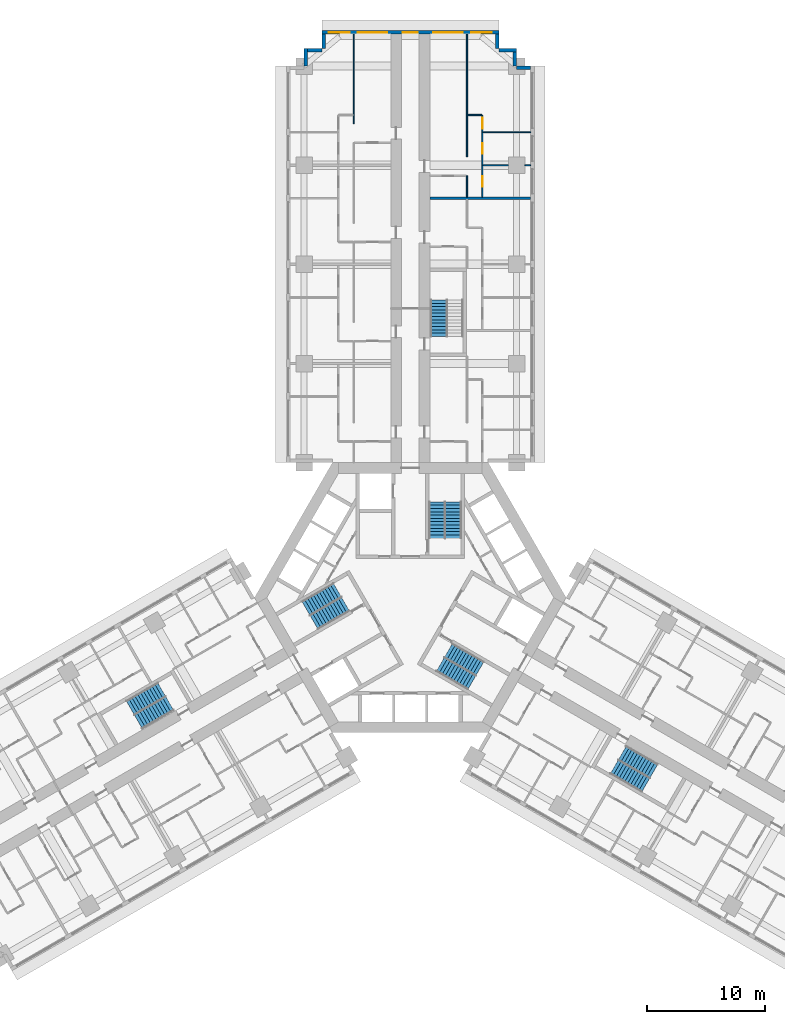
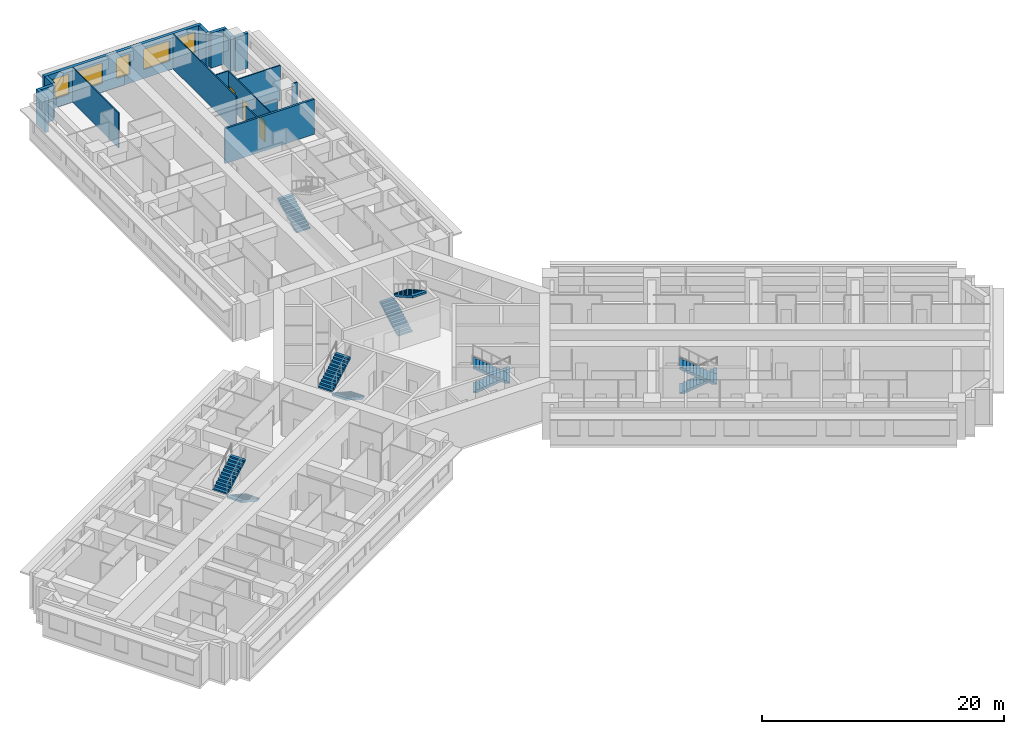
# One storey, part 14 of 16: 17 walls, 11 stair flights, 5 windows, 3 doors, 8 openings, 6 elements without a shape of their own.
"""IFC4 building model written with IfcOpenShell, lengths in metres."""

from ifc_helpers import new_model, si_unit, direction, frame, frame_2d, origin, place, context, subcontext, project, spatial, polyline, rectangle, outline, extrude, material, layer, layer_set, type_object, element, fill, aggregate, save


model = new_model("IFC4")

# Units and contexts
model_context = context("Model", 3, precision=1e-05, world=origin(), true_north=direction((0.0, 1.0)))
body_context = subcontext(model_context, "Body", "Model", "MODEL_VIEW")
ifc_project = project(units=[si_unit("LENGTHUNIT", "METRE"), si_unit("AREAUNIT", "SQUARE_METRE"), si_unit("VOLUMEUNIT", "CUBIC_METRE"), si_unit("PLANEANGLEUNIT", "RADIAN"), si_unit("MASSUNIT", "GRAM", prefix="KILO")], contexts=[model_context])

# Site, building, storey
site_placement = place(None, origin())
site = spatial("IfcSite", under=ifc_project, at=site_placement, CompositionType="ELEMENT")
building_placement = place(site_placement, origin())
building = spatial("IfcBuilding", under=site, at=building_placement, Name="Impinga Residences", CompositionType="ELEMENT")
storey_placement = place(building_placement, frame((0.0, 0.0, 71.0)))
storey = spatial("IfcBuildingStorey", under=building, at=storey_placement, Name="L17", CompositionType="ELEMENT", Elevation=71.0)

# Walls
ifc_material_1 = material(Name="Terracotta rainscreen on blockwork", Category="masonry")
ifc_layer_1 = layer(ifc_material_1, 0.300048828125)
ifc_layer_set_1 = layer_set([ifc_layer_1], Name="EW1 external wall, terracotta rainscreen on blockwork 300")
wall_type_1 = type_object("IfcWallType", Name="EW1 external wall, terracotta rainscreen on blockwork 300", PredefinedType="SOLIDWALL", material=ifc_layer_set_1)
wall_1_placement = place(storey_placement, frame((-8.85009765625, 45.03662109375, 0.0), z_axis=(0.0, 0.0, 1.0), x_axis=(0.0, 1.0, 0.0)))
element("IfcWall", 1, at=wall_1_placement, inside=storey, type_object=wall_type_1, Name="External wall EW1 L17", PredefinedType="SOLIDWALL", context=body_context, shape_type="SweptSolid", body=[
    extrude(rectangle(XDim=1.494873046875, YDim=0.300048828125, at=frame_2d((0.74755859375, 0.0))), origin(), (0.0, 0.0, 1.0), 3.530029296875),
])
wall_2_placement = place(storey_placement, frame((-8.699951171875, 46.381591796875, 0.0), z_axis=(0.0, 0.0, 1.0), x_axis=(1.0, 0.0, 0.0)))
element("IfcWall", 2, at=wall_2_placement, inside=storey, type_object=wall_type_1, Name="External wall EW1 L17", PredefinedType="SOLIDWALL", context=body_context, shape_type="SweptSolid", body=[
    extrude(rectangle(XDim=1.199951171875, YDim=0.300048828125, at=frame_2d((0.60009765625, 0.0))), origin(), (0.0, 0.0, 1.0), 3.530029296875),
])
wall_3_placement = place(storey_placement, frame((-7.35009765625, 46.53662109375, 0.0), z_axis=(0.0, 0.0, 1.0), x_axis=(0.0, 1.0, 0.0)))
element("IfcWall", 3, at=wall_3_placement, inside=storey, type_object=wall_type_1, Name="External wall EW1 L17", PredefinedType="SOLIDWALL", context=body_context, shape_type="SweptSolid", body=[
    extrude(rectangle(XDim=1.19482421875, YDim=0.300048828125, at=frame_2d((0.597412109375, 0.0))), origin(), (0.0, 0.0, 1.0), 3.530029296875),
])

# Wall, openings, windows
wall_4_placement = place(storey_placement, frame((-7.5, 47.881591796875, 0.0), z_axis=(0.0, 0.0, 1.0), x_axis=(1.0, 0.0, 0.0)))
wall_4 = element("IfcWall", 4, at=wall_4_placement, inside=storey, type_object=wall_type_1, Name="External wall EW1 L17", PredefinedType="SOLIDWALL", context=body_context, shape_type="SweptSolid", body=[
    extrude(rectangle(XDim=15.0, YDim=0.300048828125, at=frame_2d((7.5, 0.0))), origin(), (0.0, 0.0, 1.0), 3.530029296875),
])
opening_1_placement = place(wall_4_placement, frame((0.60009765625, 0.0, 0.89990234375)))
opening_1 = element("IfcOpeningElement", 5, at=opening_1_placement, cuts=wall_4, Name="Opening W1", PredefinedType="OPENING", context=body_context, shape_type="SweptSolid", body=[
    extrude(rectangle(XDim=1.75, YDim=2.050048828125, at=frame_2d((0.875, 1.02490234375))), frame((0.0, 0.159912109375, 0.0), z_axis=(0.0, -1.0, 0.0), x_axis=(1.0, 0.0, 0.0)), (0.0, 0.0, 1.0), 0.320068359375),
])
opening_2_placement = place(wall_4_placement, frame((3.050048828125, 0.0, 0.89990234375)))
opening_2 = element("IfcOpeningElement", 6, at=opening_2_placement, cuts=wall_4, Name="Opening W2", PredefinedType="OPENING", context=body_context, shape_type="SweptSolid", body=[
    extrude(rectangle(XDim=2.5, YDim=2.050048828125, at=frame_2d((1.25, 1.02490234375))), frame((0.0, 0.159912109375, 0.0), z_axis=(0.0, -1.0, 0.0), x_axis=(1.0, 0.0, 0.0)), (0.0, 0.0, 1.0), 0.320068359375),
])
opening_3_placement = place(wall_4_placement, frame((6.85009765625, 0.0, 0.89990234375)))
opening_3 = element("IfcOpeningElement", 7, at=opening_3_placement, cuts=wall_4, Name="Opening WE1", PredefinedType="OPENING", context=body_context, shape_type="SweptSolid", body=[
    extrude(rectangle(XDim=1.300048828125, YDim=2.050048828125, at=frame_2d((0.64990234375, 1.02490234375))), frame((0.0, 0.159912109375, 0.0), z_axis=(0.0, -1.0, 0.0), x_axis=(1.0, 0.0, 0.0)), (0.0, 0.0, 1.0), 0.320068359375),
])
opening_4_placement = place(wall_4_placement, frame((9.449951171875, 0.0, 0.89990234375)))
opening_4 = element("IfcOpeningElement", 8, at=opening_4_placement, cuts=wall_4, Name="Opening W2", PredefinedType="OPENING", context=body_context, shape_type="SweptSolid", body=[
    extrude(rectangle(XDim=2.5, YDim=2.050048828125, at=frame_2d((1.25, 1.02490234375))), frame((0.0, 0.159912109375, 0.0), z_axis=(0.0, -1.0, 0.0), x_axis=(1.0, 0.0, 0.0)), (0.0, 0.0, 1.0), 0.320068359375),
])
opening_5_placement = place(wall_4_placement, frame((12.64990234375, 0.0, 0.89990234375)))
opening_5 = element("IfcOpeningElement", 9, at=opening_5_placement, cuts=wall_4, Name="Opening W1", PredefinedType="OPENING", context=body_context, shape_type="SweptSolid", body=[
    extrude(rectangle(XDim=1.75, YDim=2.050048828125, at=frame_2d((0.875, 1.02490234375))), frame((0.0, 0.159912109375, 0.0), z_axis=(0.0, -1.0, 0.0), x_axis=(1.0, 0.0, 0.0)), (0.0, 0.0, 1.0), 0.320068359375),
])
ifc_material_2 = material(Name="Aluminium window, clear double glazing", Category="aluminium")
window_type_1 = type_object("IfcWindowType", Name="W1 ribbon window 1750x2050", PartitioningType="SINGLE_PANEL", PredefinedType="WINDOW", material=ifc_material_2)
window_1_placement = place(opening_1_placement, origin())
window_1 = element("IfcWindow", 10, at=window_1_placement, inside=storey, type_object=window_type_1, Name="Window L17", OverallHeight=2.050048828125, OverallWidth=1.75, PartitioningType="SINGLE_PANEL", PredefinedType="WINDOW", context=body_context, shape_type="SweptSolid", body=[
    extrude(rectangle(XDim=1.75, YDim=2.050048828125, at=frame_2d((0.875, 1.02490234375))), frame((0.0, 0.030029296875, 0.0), z_axis=(0.0, -1.0, 0.0), x_axis=(1.0, 0.0, 0.0)), (0.0, 0.0, 1.0), 0.06005859375),
])
fill(opening_1, window_1)
window_2_placement = place(opening_5_placement, origin())
window_2 = element("IfcWindow", 11, at=window_2_placement, inside=storey, type_object=window_type_1, Name="Window L17", OverallHeight=2.050048828125, OverallWidth=1.75, PartitioningType="SINGLE_PANEL", PredefinedType="WINDOW", context=body_context, shape_type="SweptSolid", body=[
    extrude(rectangle(XDim=1.75, YDim=2.050048828125, at=frame_2d((0.875, 1.02490234375))), frame((0.0, 0.030029296875, 0.0), z_axis=(0.0, -1.0, 0.0), x_axis=(1.0, 0.0, 0.0)), (0.0, 0.0, 1.0), 0.06005859375),
])
fill(opening_5, window_2)
window_type_2 = type_object("IfcWindowType", Name="W2 ribbon window 2500x2050", PartitioningType="SINGLE_PANEL", PredefinedType="WINDOW", material=ifc_material_2)
window_3_placement = place(opening_2_placement, origin())
window_3 = element("IfcWindow", 12, at=window_3_placement, inside=storey, type_object=window_type_2, Name="Window L17", OverallHeight=2.050048828125, OverallWidth=2.5, PartitioningType="SINGLE_PANEL", PredefinedType="WINDOW", context=body_context, shape_type="SweptSolid", body=[
    extrude(rectangle(XDim=2.5, YDim=2.050048828125, at=frame_2d((1.25, 1.02490234375))), frame((0.0, 0.030029296875, 0.0), z_axis=(0.0, -1.0, 0.0), x_axis=(1.0, 0.0, 0.0)), (0.0, 0.0, 1.0), 0.06005859375),
])
fill(opening_2, window_3)
window_4_placement = place(opening_4_placement, origin())
window_4 = element("IfcWindow", 13, at=window_4_placement, inside=storey, type_object=window_type_2, Name="Window L17", OverallHeight=2.050048828125, OverallWidth=2.5, PartitioningType="SINGLE_PANEL", PredefinedType="WINDOW", context=body_context, shape_type="SweptSolid", body=[
    extrude(rectangle(XDim=2.5, YDim=2.050048828125, at=frame_2d((1.25, 1.02490234375))), frame((0.0, 0.030029296875, 0.0), z_axis=(0.0, -1.0, 0.0), x_axis=(1.0, 0.0, 0.0)), (0.0, 0.0, 1.0), 0.06005859375),
])
fill(opening_4, window_4)
window_type_3 = type_object("IfcWindowType", Name="WE1 corridor window 1300x2050", PartitioningType="SINGLE_PANEL", PredefinedType="WINDOW", material=ifc_material_2)
window_5_placement = place(opening_3_placement, origin())
window_5 = element("IfcWindow", 14, at=window_5_placement, inside=storey, type_object=window_type_3, Name="Window L17", OverallHeight=2.050048828125, OverallWidth=1.300048828125, PartitioningType="SINGLE_PANEL", PredefinedType="WINDOW", context=body_context, shape_type="SweptSolid", body=[
    extrude(rectangle(XDim=1.300048828125, YDim=2.050048828125, at=frame_2d((0.64990234375, 1.02490234375))), frame((0.0, 0.030029296875, 0.0), z_axis=(0.0, -1.0, 0.0), x_axis=(1.0, 0.0, 0.0)), (0.0, 0.0, 1.0), 0.06005859375),
])
fill(opening_3, window_5)

# Walls
wall_5_placement = place(storey_placement, frame((7.35009765625, 47.7314453125, 0.0), z_axis=(0.0, 0.0, 1.0), x_axis=(0.0, -1.0, 0.0)))
element("IfcWall", 15, at=wall_5_placement, inside=storey, type_object=wall_type_1, Name="External wall EW1 L17", PredefinedType="SOLIDWALL", context=body_context, shape_type="SweptSolid", body=[
    extrude(rectangle(XDim=1.19482421875, YDim=0.300048828125, at=frame_2d((0.597412109375, 0.0))), origin(), (0.0, 0.0, 1.0), 3.530029296875),
])
wall_6_placement = place(storey_placement, frame((7.5, 46.381591796875, 0.0), z_axis=(0.0, 0.0, 1.0), x_axis=(1.0, 0.0, 0.0)))
element("IfcWall", 16, at=wall_6_placement, inside=storey, type_object=wall_type_1, Name="External wall EW1 L17", PredefinedType="SOLIDWALL", context=body_context, shape_type="SweptSolid", body=[
    extrude(rectangle(XDim=1.5, YDim=0.300048828125, at=frame_2d((0.75, 0.0))), origin(), (0.0, 0.0, 1.0), 3.530029296875),
])
wall_7_placement = place(storey_placement, frame((8.85009765625, 46.2314453125, 0.0), z_axis=(0.0, 0.0, 1.0), x_axis=(0.0, -1.0, 0.0)))
element("IfcWall", 17, at=wall_7_placement, inside=storey, type_object=wall_type_1, Name="External wall EW1 L17", PredefinedType="SOLIDWALL", context=body_context, shape_type="SweptSolid", body=[
    extrude(rectangle(XDim=1.199951171875, YDim=0.300048828125, at=frame_2d((0.60009765625, 0.0))), origin(), (0.0, 0.0, 1.0), 3.530029296875),
])
wall_8_placement = place(storey_placement, frame((9.0048828125, 44.881591796875, 0.0), z_axis=(0.0, 0.0, 1.0), x_axis=(1.0, 0.0, 0.0)))
element("IfcWall", 18, at=wall_8_placement, inside=storey, type_object=wall_type_1, Name="External wall EW1 L17", PredefinedType="SOLIDWALL", context=body_context, shape_type="SweptSolid", body=[
    extrude(rectangle(XDim=1.195068359375, YDim=0.300048828125, at=frame_2d((0.59765625, 0.0))), origin(), (0.0, 0.0, 1.0), 3.530029296875),
])
ifc_material_3 = material(Name="Gypsum board on steel studs", Category="steel")
ifc_layer_2 = layer(ifc_material_3, 0.10009765625)
ifc_layer_set_2 = layer_set([ifc_layer_2], Name="Gypsum board on steel studs")
wall_type_2 = type_object("IfcWallType", Name="IP1 partition 100", PredefinedType="PARTITIONING", material=ifc_layer_set_2)
wall_9_placement = place(storey_placement, frame((-4.800048828125, 40.131591796875, 0.0), z_axis=(0.0, 0.0, 1.0), x_axis=(0.0, 1.0, 0.0)))
element("IfcWall", 19, at=wall_9_placement, inside=storey, type_object=wall_type_2, Name="Partition L17-NA4:DIV1", PredefinedType="PARTITIONING", context=body_context, shape_type="SweptSolid", body=[
    extrude(rectangle(XDim=7.599853515625, YDim=0.10009765625, at=frame_2d((3.7998046875, 0.0))), origin(), (0.0, 0.0, 1.0), 3.530029296875),
])
wall_10_placement = place(storey_placement, frame((4.800048828125, 33.931640625, 0.0), z_axis=(0.0, 0.0, 1.0), x_axis=(0.0, 1.0, 0.0)))
element("IfcWall", 20, at=wall_10_placement, inside=storey, type_object=wall_type_2, Name="Partition L17-NF3:DIV0", PredefinedType="PARTITIONING", context=body_context, shape_type="SweptSolid", body=[
    extrude(rectangle(XDim=1.7998046875, YDim=0.10009765625, at=frame_2d((0.89990234375, 0.0))), origin(), (0.0, 0.0, 1.0), 3.530029296875),
])
wall_11_placement = place(storey_placement, frame((4.800048828125, 37.33154296875, 0.0), z_axis=(0.0, 0.0, 1.0), x_axis=(0.0, 1.0, 0.0)))
element("IfcWall", 21, at=wall_11_placement, inside=storey, type_object=wall_type_2, Name="Partition L17-NF3:DIV1", PredefinedType="PARTITIONING", context=body_context, shape_type="SweptSolid", body=[
    extrude(rectangle(XDim=10.39990234375, YDim=0.10009765625, at=frame_2d((5.199951171875, 0.0))), origin(), (0.0, 0.0, 1.0), 3.530029296875),
])

# Wall, openings, doors
wall_12_placement = place(storey_placement, frame((6.10009765625, 33.931640625, 0.0), z_axis=(0.0, 0.0, 1.0), x_axis=(0.0, 1.0, 0.0)))
wall_12 = element("IfcWall", 22, at=wall_12_placement, inside=storey, type_object=wall_type_2, Name="Partition L17-NF3:STRIP", PredefinedType="PARTITIONING", context=body_context, shape_type="SweptSolid", body=[
    extrude(rectangle(XDim=6.949951171875, YDim=0.10009765625, at=frame_2d((3.47509765625, 0.0))), origin(), (0.0, 0.0, 1.0), 3.530029296875),
])
opening_6_placement = place(wall_12_placement, frame((0.875, 0.0, 0.0)))
opening_6 = element("IfcOpeningElement", 23, at=opening_6_placement, cuts=wall_12, Name="Opening D2", PredefinedType="OPENING", context=body_context, shape_type="SweptSolid", body=[
    extrude(rectangle(XDim=0.89990234375, YDim=2.10009765625, at=frame_2d((0.449951171875, 1.050048828125))), frame((0.0, 0.06005859375, 0.0), z_axis=(0.0, -1.0, 0.0), x_axis=(1.0, 0.0, 0.0)), (0.0, 0.0, 1.0), 0.1201171875),
])
opening_7_placement = place(wall_12_placement, frame((3.64990234375, 0.0, 0.0)))
opening_7 = element("IfcOpeningElement", 24, at=opening_7_placement, cuts=wall_12, Name="Opening D2", PredefinedType="OPENING", context=body_context, shape_type="SweptSolid", body=[
    extrude(rectangle(XDim=0.89990234375, YDim=2.10009765625, at=frame_2d((0.449951171875, 1.050048828125))), frame((0.0, 0.06005859375, 0.0), z_axis=(0.0, -1.0, 0.0), x_axis=(1.0, 0.0, 0.0)), (0.0, 0.0, 1.0), 0.1201171875),
])
opening_8_placement = place(wall_12_placement, frame((5.800048828125, 0.0, 0.0)))
opening_8 = element("IfcOpeningElement", 25, at=opening_8_placement, cuts=wall_12, Name="Opening D2", PredefinedType="OPENING", context=body_context, shape_type="SweptSolid", body=[
    extrude(rectangle(XDim=0.89990234375, YDim=2.10009765625, at=frame_2d((0.449951171875, 1.050048828125))), frame((0.0, 0.06005859375, 0.0), z_axis=(0.0, -1.0, 0.0), x_axis=(1.0, 0.0, 0.0)), (0.0, 0.0, 1.0), 0.1201171875),
])
ifc_material_4 = material(Name="Timber door set", Category="wood")
door_type = type_object("IfcDoorType", Name="D2 internal door 900x2100", OperationType="SINGLE_SWING_LEFT", PredefinedType="DOOR", material=ifc_material_4)
door_1_placement = place(opening_6_placement, origin())
door_1 = element("IfcDoor", 26, at=door_1_placement, inside=storey, type_object=door_type, Name="Apartment L17-NF3 room door", OperationType="SINGLE_SWING_LEFT", OverallHeight=2.10009765625, OverallWidth=0.89990234375, PredefinedType="DOOR", context=body_context, shape_type="SweptSolid", body=[
    extrude(rectangle(XDim=0.89990234375, YDim=2.10009765625, at=frame_2d((0.449951171875, 1.050048828125))), frame((0.0, 0.02490234375, 0.0), z_axis=(0.0, -1.0, 0.0), x_axis=(1.0, 0.0, 0.0)), (0.0, 0.0, 1.0), 0.050048828125),
])
fill(opening_6, door_1)
door_2_placement = place(opening_7_placement, origin())
door_2 = element("IfcDoor", 27, at=door_2_placement, inside=storey, type_object=door_type, Name="Apartment L17-NF3 room door", OperationType="SINGLE_SWING_RIGHT", OverallHeight=2.10009765625, OverallWidth=0.89990234375, PredefinedType="DOOR", context=body_context, shape_type="SweptSolid", body=[
    extrude(rectangle(XDim=0.89990234375, YDim=2.10009765625, at=frame_2d((0.449951171875, 1.050048828125))), frame((0.0, 0.02490234375, 0.0), z_axis=(0.0, -1.0, 0.0), x_axis=(1.0, 0.0, 0.0)), (0.0, 0.0, 1.0), 0.050048828125),
])
fill(opening_7, door_2)
door_3_placement = place(opening_8_placement, origin())
door_3 = element("IfcDoor", 28, at=door_3_placement, inside=storey, type_object=door_type, Name="Apartment L17-NF3 room door", OperationType="SINGLE_SWING_RIGHT", OverallHeight=2.10009765625, OverallWidth=0.89990234375, PredefinedType="DOOR", context=body_context, shape_type="SweptSolid", body=[
    extrude(rectangle(XDim=0.89990234375, YDim=2.10009765625, at=frame_2d((0.449951171875, 1.050048828125))), frame((0.0, 0.02490234375, 0.0), z_axis=(0.0, -1.0, 0.0), x_axis=(1.0, 0.0, 0.0)), (0.0, 0.0, 1.0), 0.050048828125),
])
fill(opening_8, door_3)

# Walls
wall_13_placement = place(storey_placement, frame((4.85009765625, 40.881591796875, 0.0), z_axis=(0.0, 0.0, 1.0), x_axis=(1.0, 0.0, 0.0)))
element("IfcWall", 29, at=wall_13_placement, inside=storey, type_object=wall_type_2, Name="Partition L17-NF3:SE1", PredefinedType="PARTITIONING", context=body_context, shape_type="SweptSolid", body=[
    extrude(rectangle(XDim=1.199951171875, YDim=0.10009765625, at=frame_2d((0.60009765625, 0.0))), origin(), (0.0, 0.0, 1.0), 3.530029296875),
])
wall_14_placement = place(storey_placement, frame((6.14990234375, 36.631591796875, 0.0), z_axis=(0.0, 0.0, 1.0), x_axis=(1.0, 0.0, 0.0)))
element("IfcWall", 30, at=wall_14_placement, inside=storey, type_object=wall_type_2, Name="Partition L17-NF3:OB1", PredefinedType="PARTITIONING", context=body_context, shape_type="SweptSolid", body=[
    extrude(rectangle(XDim=2.150146484375, YDim=0.10009765625, at=frame_2d((1.0751953125, 0.0))), origin(), (0.0, 0.0, 1.0), 2.47998046875),
])
wall_15_placement = place(storey_placement, frame((9.699951171875, 36.631591796875, 0.0), z_axis=(0.0, 0.0, 1.0), x_axis=(1.0, 0.0, 0.0)))
element("IfcWall", 31, at=wall_15_placement, inside=storey, type_object=wall_type_2, Name="Partition L17-NF3:OB1b", PredefinedType="PARTITIONING", context=body_context, shape_type="SweptSolid", body=[
    extrude(rectangle(XDim=0.5, YDim=0.10009765625, at=frame_2d((0.25, 0.0))), origin(), (0.0, 0.0, 1.0), 3.530029296875),
])
wall_16_placement = place(storey_placement, frame((6.14990234375, 39.431640625, 0.0), z_axis=(0.0, 0.0, 1.0), x_axis=(1.0, 0.0, 0.0)))
element("IfcWall", 32, at=wall_16_placement, inside=storey, type_object=wall_type_2, Name="Partition L17-NF3:OB2", PredefinedType="PARTITIONING", context=body_context, shape_type="SweptSolid", body=[
    extrude(rectangle(XDim=4.050048828125, YDim=0.10009765625, at=frame_2d((2.02490234375, 0.0))), origin(), (0.0, 0.0, 1.0), 3.530029296875),
])
ifc_material_5 = material(Name="Concrete blockwork", Category="masonry")
ifc_layer_3 = layer(ifc_material_5, 0.199951171875)
ifc_layer_set_3 = layer_set([ifc_layer_3], Name="PW1 party wall between apartments 200")
wall_type_3 = type_object("IfcWallType", Name="PW1 party wall between apartments 200", PredefinedType="SOLIDWALL", material=ifc_layer_set_3)
wall_17_placement = place(storey_placement, frame((1.64990234375, 33.83154296875, 0.0), z_axis=(0.0, 0.0, 1.0), x_axis=(1.0, 0.0, 0.0)))
element("IfcWall", 33, at=wall_17_placement, inside=storey, type_object=wall_type_3, Name="Party wall between apartments L17-NF2:PARTY", PredefinedType="SOLIDWALL", context=body_context, shape_type="SweptSolid", body=[
    extrude(rectangle(XDim=8.550048828125, YDim=0.199951171875, at=frame_2d((4.27490234375, 0.0))), origin(), (0.0, 0.0, 1.0), 3.530029296875),
])

# Stair, stair flights
ifc_material_6 = material(Name="Concrete C40/50", Category="concrete")
stair_type_1 = type_object("IfcStairType", Name="STR core stair 3750 storey, 24 risers", PredefinedType="HALF_TURN_STAIR", material=ifc_material_6)
stair_1_placement = place(storey_placement, origin())
stair_1 = element("IfcStair", 34, at=stair_1_placement, inside=storey, type_object=stair_type_1, Name="Stair ST1 L17", PredefinedType="HALF_TURN_STAIR")
stair_flight_type = type_object("IfcStairFlightType", Name="SF 12 risers of 156", PredefinedType="STRAIGHT", material=ifc_material_6)
stair_flight_1_placement = place(storey_placement, frame((2.27490234375, 5.030029296875, 0.0), z_axis=(0.0, 0.0, 1.0), x_axis=(0.0, 1.0, 0.0)))
stair_flight_1 = element("IfcStairFlight", 35, at=stair_flight_1_placement, type_object=stair_flight_type, Name="ST1 flight 1", NumberOfRisers=12, NumberOfTreads=11, PredefinedType="STRAIGHT", RiserHeight=0.15625, TreadLength=0.28, context=body_context, shape_type="SweptSolid", body=[
    extrude(outline(polyline([(0.0, 0.0), (0.0, 0.15625), (0.280029296875, 0.15625), (0.280029296875, 0.3125), (0.56005859375, 0.3125), (0.56005859375, 0.46875), (0.840087890625, 0.46875), (0.840087890625, 0.625), (1.1201171875, 0.625), (1.1201171875, 0.78125), (1.39990234375, 0.78125), (1.39990234375, 0.9375), (1.679931640625, 0.9375), (1.679931640625, 1.09375), (1.9599609375, 1.09375), (1.9599609375, 1.25), (2.239990234375, 1.25), (2.239990234375, 1.40625), (2.52001953125, 1.40625), (2.52001953125, 1.5625), (2.800048828125, 1.5625), (2.800048828125, 1.71875), (3.080078125, 1.71875), (3.080078125, 1.875), (3.080078125, 1.5126953125), (0.369140625, 0.0), (0.0, 0.0)])), frame((0.0, 0.675048828125, 0.0), z_axis=(0.0, -1.0, 0.0), x_axis=(1.0, 0.0, 0.0)), (0.0, 0.0, 1.0), 1.35009765625),
])
stair_flight_2_placement = place(storey_placement, frame((3.625, 8.110107421875, 1.875), z_axis=(0.0, 0.0, 1.0), x_axis=(0.0, -1.0, 0.0)))
stair_flight_2 = element("IfcStairFlight", 36, at=stair_flight_2_placement, type_object=stair_flight_type, Name="ST1 flight 2", NumberOfRisers=12, NumberOfTreads=11, PredefinedType="STRAIGHT", RiserHeight=0.15625, TreadLength=0.28, context=body_context, shape_type="SweptSolid", body=[
    extrude(outline(polyline([(0.0, 0.0), (0.0, 0.15625), (0.280029296875, 0.15625), (0.280029296875, 0.3125), (0.56005859375, 0.3125), (0.56005859375, 0.46875), (0.840087890625, 0.46875), (0.840087890625, 0.625), (1.1201171875, 0.625), (1.1201171875, 0.78125), (1.39990234375, 0.78125), (1.39990234375, 0.9375), (1.679931640625, 0.9375), (1.679931640625, 1.09375), (1.9599609375, 1.09375), (1.9599609375, 1.25), (2.239990234375, 1.25), (2.239990234375, 1.40625), (2.52001953125, 1.40625), (2.52001953125, 1.5625), (2.800048828125, 1.5625), (2.800048828125, 1.71875), (3.080078125, 1.71875), (3.080078125, 1.875), (3.080078125, 1.5126953125), (0.369140625, 0.0), (0.0, 0.0)])), frame((0.0, 0.675048828125, 0.0), z_axis=(0.0, -1.0, 0.0), x_axis=(1.0, 0.0, 0.0)), (0.0, 0.0, 1.0), 1.35009765625),
])
aggregate(stair_1, [stair_flight_1, stair_flight_2])

stair_2_placement = place(storey_placement, origin())
stair_2 = element("IfcStair", 37, at=stair_2_placement, inside=storey, type_object=stair_type_1, Name="Stair ST2 L17", PredefinedType="HALF_TURN_STAIR")
stair_flight_3_placement = place(storey_placement, frame((-5.49365234375, -0.544677734375, 0.0), z_axis=(0.0, 0.0, 1.0), x_axis=(-0.866025403784, -0.5, 0.0)))
stair_flight_3 = element("IfcStairFlight", 38, at=stair_flight_3_placement, type_object=stair_flight_type, Name="ST2 flight 1", NumberOfRisers=12, NumberOfTreads=11, PredefinedType="STRAIGHT", RiserHeight=0.15625, TreadLength=0.28, context=body_context, shape_type="SweptSolid", body=[
    extrude(outline(polyline([(0.0, 0.0), (0.0, 0.15625), (0.280029296875, 0.15625), (0.280029296875, 0.3125), (0.56005859375, 0.3125), (0.56005859375, 0.46875), (0.840087890625, 0.46875), (0.840087890625, 0.625), (1.1201171875, 0.625), (1.1201171875, 0.78125), (1.39990234375, 0.78125), (1.39990234375, 0.9375), (1.679931640625, 0.9375), (1.679931640625, 1.09375), (1.9599609375, 1.09375), (1.9599609375, 1.25), (2.239990234375, 1.25), (2.239990234375, 1.40625), (2.52001953125, 1.40625), (2.52001953125, 1.5625), (2.800048828125, 1.5625), (2.800048828125, 1.71875), (3.080078125, 1.71875), (3.080078125, 1.875), (3.080078125, 1.5126953125), (0.369140625, 0.0), (0.0, 0.0)])), frame((0.0, 0.675048828125, 0.0), z_axis=(0.0, -1.0, 0.0), x_axis=(1.0, 0.0, 0.0)), (0.0, 0.0, 1.0), 1.35009765625),
])
stair_flight_4_placement = place(storey_placement, frame((-8.8359375, -0.915771484375, 1.875), z_axis=(0.0, 0.0, 1.0), x_axis=(0.866025403784, 0.5, 0.0)))
stair_flight_4 = element("IfcStairFlight", 39, at=stair_flight_4_placement, type_object=stair_flight_type, Name="ST2 flight 2", NumberOfRisers=12, NumberOfTreads=11, PredefinedType="STRAIGHT", RiserHeight=0.15625, TreadLength=0.28, context=body_context, shape_type="SweptSolid", body=[
    extrude(outline(polyline([(0.0, 0.0), (0.0, 0.15625), (0.280029296875, 0.15625), (0.280029296875, 0.3125), (0.56005859375, 0.3125), (0.56005859375, 0.46875), (0.840087890625, 0.46875), (0.840087890625, 0.625), (1.1201171875, 0.625), (1.1201171875, 0.78125), (1.39990234375, 0.78125), (1.39990234375, 0.9375), (1.679931640625, 0.9375), (1.679931640625, 1.09375), (1.9599609375, 1.09375), (1.9599609375, 1.25), (2.239990234375, 1.25), (2.239990234375, 1.40625), (2.52001953125, 1.40625), (2.52001953125, 1.5625), (2.800048828125, 1.5625), (2.800048828125, 1.71875), (3.080078125, 1.71875), (3.080078125, 1.875), (3.080078125, 1.5126953125), (0.369140625, 0.0), (0.0, 0.0)])), frame((0.0, 0.675048828125, 0.0), z_axis=(0.0, -1.0, 0.0), x_axis=(1.0, 0.0, 0.0)), (0.0, 0.0, 1.0), 1.35009765625),
])
aggregate(stair_2, [stair_flight_3, stair_flight_4])

stair_3_placement = place(storey_placement, origin())
stair_3 = element("IfcStair", 40, at=stair_3_placement, inside=storey, type_object=stair_type_1, Name="Stair ST3 L17", PredefinedType="HALF_TURN_STAIR")
stair_flight_5_placement = place(storey_placement, frame((3.218505859375, -4.485107421875, 0.0), z_axis=(0.0, 0.0, 1.0), x_axis=(0.866025403784, -0.5, 0.0)))
stair_flight_5 = element("IfcStairFlight", 41, at=stair_flight_5_placement, type_object=stair_flight_type, Name="ST3 flight 1", NumberOfRisers=12, NumberOfTreads=11, PredefinedType="STRAIGHT", RiserHeight=0.15625, TreadLength=0.28, context=body_context, shape_type="SweptSolid", body=[
    extrude(outline(polyline([(0.0, 0.0), (0.0, 0.15625), (0.280029296875, 0.15625), (0.280029296875, 0.3125), (0.56005859375, 0.3125), (0.56005859375, 0.46875), (0.840087890625, 0.46875), (0.840087890625, 0.625), (1.1201171875, 0.625), (1.1201171875, 0.78125), (1.39990234375, 0.78125), (1.39990234375, 0.9375), (1.679931640625, 0.9375), (1.679931640625, 1.09375), (1.9599609375, 1.09375), (1.9599609375, 1.25), (2.239990234375, 1.25), (2.239990234375, 1.40625), (2.52001953125, 1.40625), (2.52001953125, 1.5625), (2.800048828125, 1.5625), (2.800048828125, 1.71875), (3.080078125, 1.71875), (3.080078125, 1.875), (3.080078125, 1.5126953125), (0.369140625, 0.0), (0.0, 0.0)])), frame((0.0, 0.675048828125, 0.0), z_axis=(0.0, -1.0, 0.0), x_axis=(1.0, 0.0, 0.0)), (0.0, 0.0, 1.0), 1.35009765625),
])
stair_flight_6_placement = place(storey_placement, frame((5.2109375, -7.1943359375, 1.875), z_axis=(0.0, 0.0, 1.0), x_axis=(-0.866025403784, 0.5, 0.0)))
stair_flight_6 = element("IfcStairFlight", 42, at=stair_flight_6_placement, type_object=stair_flight_type, Name="ST3 flight 2", NumberOfRisers=12, NumberOfTreads=11, PredefinedType="STRAIGHT", RiserHeight=0.15625, TreadLength=0.28, context=body_context, shape_type="SweptSolid", body=[
    extrude(outline(polyline([(0.0, 0.0), (0.0, 0.15625), (0.280029296875, 0.15625), (0.280029296875, 0.3125), (0.56005859375, 0.3125), (0.56005859375, 0.46875), (0.840087890625, 0.46875), (0.840087890625, 0.625), (1.1201171875, 0.625), (1.1201171875, 0.78125), (1.39990234375, 0.78125), (1.39990234375, 0.9375), (1.679931640625, 0.9375), (1.679931640625, 1.09375), (1.9599609375, 1.09375), (1.9599609375, 1.25), (2.239990234375, 1.25), (2.239990234375, 1.40625), (2.52001953125, 1.40625), (2.52001953125, 1.5625), (2.800048828125, 1.5625), (2.800048828125, 1.71875), (3.080078125, 1.71875), (3.080078125, 1.875), (3.080078125, 1.5126953125), (0.369140625, 0.0), (0.0, 0.0)])), frame((0.0, 0.675048828125, 0.0), z_axis=(0.0, -1.0, 0.0), x_axis=(1.0, 0.0, 0.0)), (0.0, 0.0, 1.0), 1.35009765625),
])
aggregate(stair_3, [stair_flight_5, stair_flight_6])

# Stair, stair flight
stair_type_2 = type_object("IfcStairType", Name="STR wing stair 3750 storey, 24 risers", PredefinedType="HALF_TURN_STAIR", material=ifc_material_6)
stair_4_placement = place(storey_placement, origin())
stair_4 = element("IfcStair", 43, at=stair_4_placement, inside=storey, type_object=stair_type_2, Name="Stair WS1 L17", PredefinedType="HALF_TURN_STAIR")
stair_flight_7_placement = place(storey_placement, frame((2.425048828125, 22.131591796875, 0.0), z_axis=(0.0, 0.0, 1.0), x_axis=(0.0, 1.0, 0.0)))
stair_flight_7 = element("IfcStairFlight", 44, at=stair_flight_7_placement, type_object=stair_flight_type, Name="WS1 flight 1", NumberOfRisers=12, NumberOfTreads=11, PredefinedType="STRAIGHT", RiserHeight=0.15625, TreadLength=0.28, context=body_context, shape_type="SweptSolid", body=[
    extrude(outline(polyline([(0.0, 0.0), (0.0, 0.15625), (0.280029296875, 0.15625), (0.280029296875, 0.3125), (0.56005859375, 0.3125), (0.56005859375, 0.46875), (0.840087890625, 0.46875), (0.840087890625, 0.625), (1.1201171875, 0.625), (1.1201171875, 0.78125), (1.39990234375, 0.78125), (1.39990234375, 0.9375), (1.679931640625, 0.9375), (1.679931640625, 1.09375), (1.9599609375, 1.09375), (1.9599609375, 1.25), (2.239990234375, 1.25), (2.239990234375, 1.40625), (2.52001953125, 1.40625), (2.52001953125, 1.5625), (2.800048828125, 1.5625), (2.800048828125, 1.71875), (3.080078125, 1.71875), (3.080078125, 1.875), (3.080078125, 1.5126953125), (0.369140625, 0.0), (0.0, 0.0)])), frame((0.0, 0.675048828125, 0.0), z_axis=(0.0, -1.0, 0.0), x_axis=(1.0, 0.0, 0.0)), (0.0, 0.0, 1.0), 1.35009765625),
])
aggregate(stair_4, [stair_flight_7])

# Stair, stair flights
stair_5_placement = place(storey_placement, origin())
stair_5 = element("IfcStair", 45, at=stair_5_placement, inside=storey, type_object=stair_type_2, Name="Stair WS2 L17", PredefinedType="HALF_TURN_STAIR")
stair_flight_8_placement = place(storey_placement, frame((-20.37890625, -8.965576171875, 0.0), z_axis=(0.0, 0.0, 1.0), x_axis=(-0.866025403784, -0.5, 0.0)))
stair_flight_8 = element("IfcStairFlight", 46, at=stair_flight_8_placement, type_object=stair_flight_type, Name="WS2 flight 1", NumberOfRisers=12, NumberOfTreads=11, PredefinedType="STRAIGHT", RiserHeight=0.15625, TreadLength=0.28, context=body_context, shape_type="SweptSolid", body=[
    extrude(outline(polyline([(0.0, 0.0), (0.0, 0.15625), (0.280029296875, 0.15625), (0.280029296875, 0.3125), (0.56005859375, 0.3125), (0.56005859375, 0.46875), (0.840087890625, 0.46875), (0.840087890625, 0.625), (1.1201171875, 0.625), (1.1201171875, 0.78125), (1.39990234375, 0.78125), (1.39990234375, 0.9375), (1.679931640625, 0.9375), (1.679931640625, 1.09375), (1.9599609375, 1.09375), (1.9599609375, 1.25), (2.239990234375, 1.25), (2.239990234375, 1.40625), (2.52001953125, 1.40625), (2.52001953125, 1.5625), (2.800048828125, 1.5625), (2.800048828125, 1.71875), (3.080078125, 1.71875), (3.080078125, 1.875), (3.080078125, 1.5126953125), (0.369140625, 0.0), (0.0, 0.0)])), frame((0.0, 0.675048828125, 0.0), z_axis=(0.0, -1.0, 0.0), x_axis=(1.0, 0.0, 0.0)), (0.0, 0.0, 1.0), 1.35009765625),
])
stair_flight_9_placement = place(storey_placement, frame((-23.721435546875, -9.33642578125, 1.875), z_axis=(0.0, 0.0, 1.0), x_axis=(0.866025403784, 0.5, 0.0)))
stair_flight_9 = element("IfcStairFlight", 47, at=stair_flight_9_placement, type_object=stair_flight_type, Name="WS2 flight 2", NumberOfRisers=12, NumberOfTreads=11, PredefinedType="STRAIGHT", RiserHeight=0.15625, TreadLength=0.28, context=body_context, shape_type="SweptSolid", body=[
    extrude(outline(polyline([(0.0, 0.0), (0.0, 0.15625), (0.280029296875, 0.15625), (0.280029296875, 0.3125), (0.56005859375, 0.3125), (0.56005859375, 0.46875), (0.840087890625, 0.46875), (0.840087890625, 0.625), (1.1201171875, 0.625), (1.1201171875, 0.78125), (1.39990234375, 0.78125), (1.39990234375, 0.9375), (1.679931640625, 0.9375), (1.679931640625, 1.09375), (1.9599609375, 1.09375), (1.9599609375, 1.25), (2.239990234375, 1.25), (2.239990234375, 1.40625), (2.52001953125, 1.40625), (2.52001953125, 1.5625), (2.800048828125, 1.5625), (2.800048828125, 1.71875), (3.080078125, 1.71875), (3.080078125, 1.875), (3.080078125, 1.5126953125), (0.369140625, 0.0), (0.0, 0.0)])), frame((0.0, 0.675048828125, 0.0), z_axis=(0.0, -1.0, 0.0), x_axis=(1.0, 0.0, 0.0)), (0.0, 0.0, 1.0), 1.35009765625),
])
aggregate(stair_5, [stair_flight_8, stair_flight_9])

stair_6_placement = place(storey_placement, origin())
stair_6 = element("IfcStair", 48, at=stair_6_placement, inside=storey, type_object=stair_type_2, Name="Stair WS3 L17", PredefinedType="HALF_TURN_STAIR")
stair_flight_10_placement = place(storey_placement, frame((17.953857421875, -13.165771484375, 0.0), z_axis=(0.0, 0.0, 1.0), x_axis=(0.866025403784, -0.5, 0.0)))
stair_flight_10 = element("IfcStairFlight", 49, at=stair_flight_10_placement, type_object=stair_flight_type, Name="WS3 flight 1", NumberOfRisers=12, NumberOfTreads=11, PredefinedType="STRAIGHT", RiserHeight=0.15625, TreadLength=0.28, context=body_context, shape_type="SweptSolid", body=[
    extrude(outline(polyline([(0.0, 0.0), (0.0, 0.15625), (0.280029296875, 0.15625), (0.280029296875, 0.3125), (0.56005859375, 0.3125), (0.56005859375, 0.46875), (0.840087890625, 0.46875), (0.840087890625, 0.625), (1.1201171875, 0.625), (1.1201171875, 0.78125), (1.39990234375, 0.78125), (1.39990234375, 0.9375), (1.679931640625, 0.9375), (1.679931640625, 1.09375), (1.9599609375, 1.09375), (1.9599609375, 1.25), (2.239990234375, 1.25), (2.239990234375, 1.40625), (2.52001953125, 1.40625), (2.52001953125, 1.5625), (2.800048828125, 1.5625), (2.800048828125, 1.71875), (3.080078125, 1.71875), (3.080078125, 1.875), (3.080078125, 1.5126953125), (0.369140625, 0.0), (0.0, 0.0)])), frame((0.0, 0.675048828125, 0.0), z_axis=(0.0, -1.0, 0.0), x_axis=(1.0, 0.0, 0.0)), (0.0, 0.0, 1.0), 1.35009765625),
])
stair_flight_11_placement = place(storey_placement, frame((19.9462890625, -15.875, 1.875), z_axis=(0.0, 0.0, 1.0), x_axis=(-0.866025403784, 0.5, 0.0)))
stair_flight_11 = element("IfcStairFlight", 50, at=stair_flight_11_placement, type_object=stair_flight_type, Name="WS3 flight 2", NumberOfRisers=12, NumberOfTreads=11, PredefinedType="STRAIGHT", RiserHeight=0.15625, TreadLength=0.28, context=body_context, shape_type="SweptSolid", body=[
    extrude(outline(polyline([(0.0, 0.0), (0.0, 0.15625), (0.280029296875, 0.15625), (0.280029296875, 0.3125), (0.56005859375, 0.3125), (0.56005859375, 0.46875), (0.840087890625, 0.46875), (0.840087890625, 0.625), (1.1201171875, 0.625), (1.1201171875, 0.78125), (1.39990234375, 0.78125), (1.39990234375, 0.9375), (1.679931640625, 0.9375), (1.679931640625, 1.09375), (1.9599609375, 1.09375), (1.9599609375, 1.25), (2.239990234375, 1.25), (2.239990234375, 1.40625), (2.52001953125, 1.40625), (2.52001953125, 1.5625), (2.800048828125, 1.5625), (2.800048828125, 1.71875), (3.080078125, 1.71875), (3.080078125, 1.875), (3.080078125, 1.5126953125), (0.369140625, 0.0), (0.0, 0.0)])), frame((0.0, 0.675048828125, 0.0), z_axis=(0.0, -1.0, 0.0), x_axis=(1.0, 0.0, 0.0)), (0.0, 0.0, 1.0), 1.35009765625),
])
aggregate(stair_6, [stair_flight_10, stair_flight_11])

save(model, "model.ifc")
